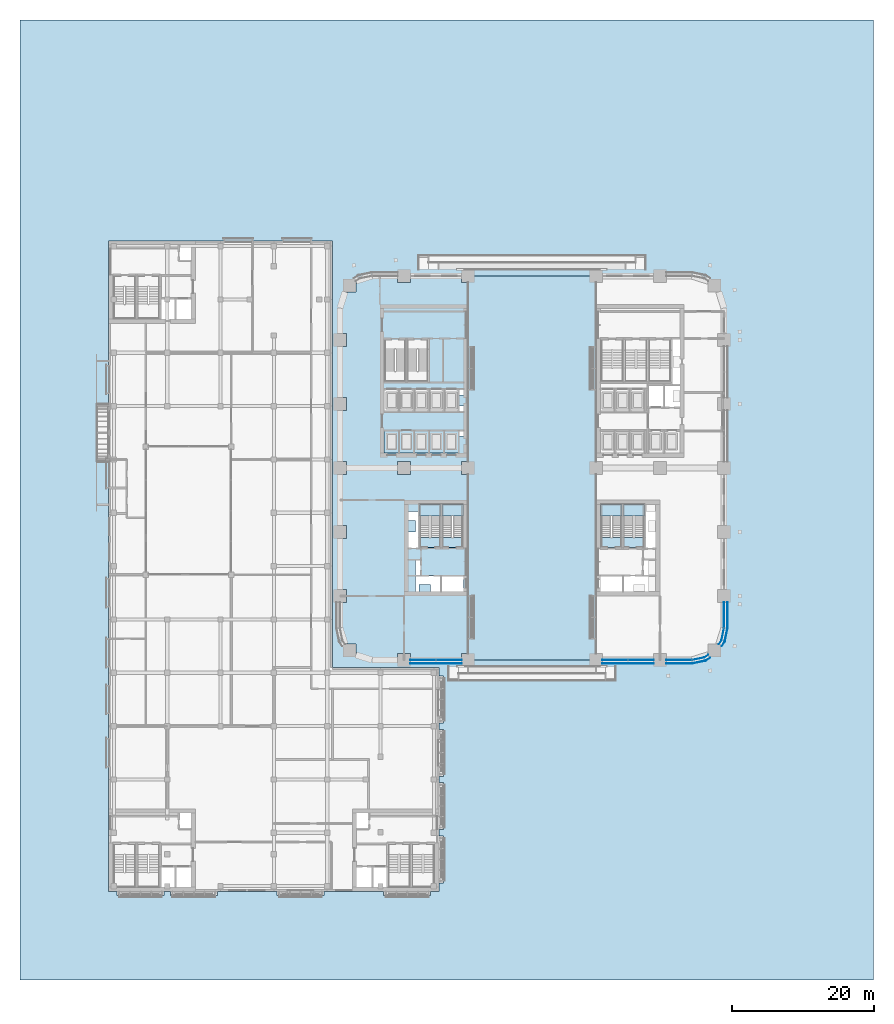
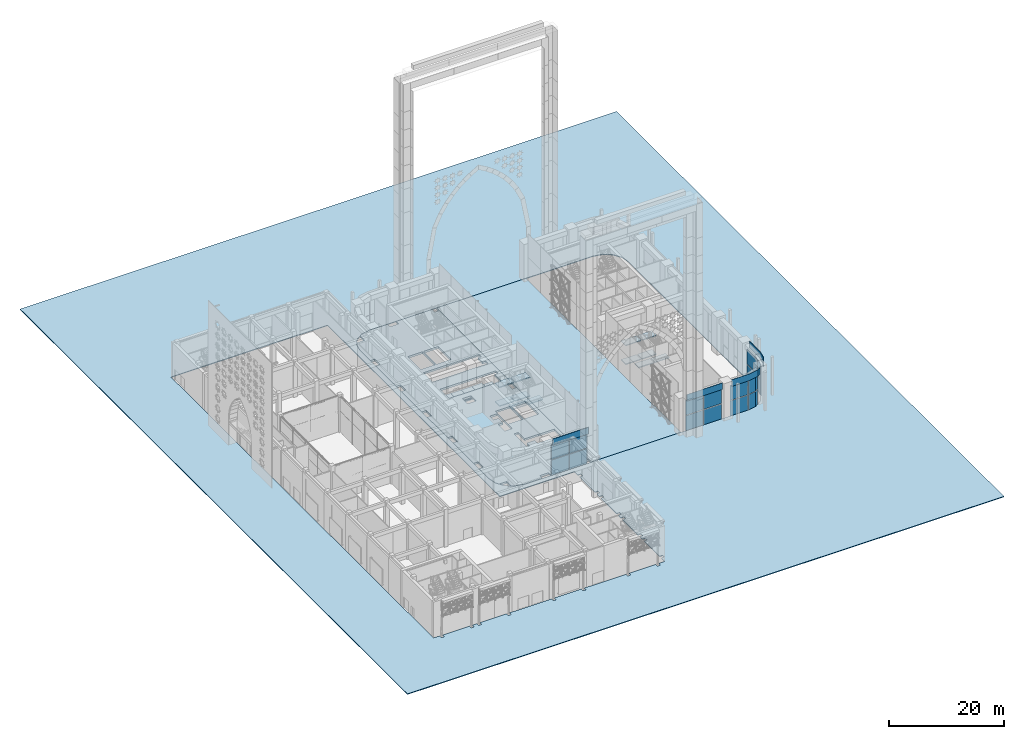
# One storey, part 23 of 64: 20 plates, 20 slabs, 8 elements without a shape of their own.
"""IFC4 building model written with IfcOpenShell, lengths in metres."""

from ifc_helpers import new_model, si_unit, direction, frame, origin, origin_2d, place, context, subcontext, project, spatial, polyline, rectangle, outline, extrude, material, layer, layer_set, type_object, element, aggregate, save


model = new_model("IFC4")

# Units and contexts
model_context = context("Model", 3, precision=1e-05, world=origin(), true_north=direction((0.0, 1.0)))
body_context = subcontext(model_context, "Body", "Model", "MODEL_VIEW")
ifc_project = project(units=[si_unit("LENGTHUNIT", "METRE"), si_unit("AREAUNIT", "SQUARE_METRE"), si_unit("VOLUMEUNIT", "CUBIC_METRE"), si_unit("PLANEANGLEUNIT", "RADIAN"), si_unit("MASSUNIT", "GRAM", prefix="KILO")], contexts=[model_context])

# Site, building, storey
site_placement = place(None, origin())
site = spatial("IfcSite", under=ifc_project, at=site_placement, CompositionType="ELEMENT")
building_placement = place(site_placement, origin())
building = spatial("IfcBuilding", under=site, at=building_placement, Name="Tessera Arch", CompositionType="ELEMENT")
storey_placement = place(building_placement, origin())
storey = spatial("IfcBuildingStorey", under=building, at=storey_placement, Name="L00", CompositionType="ELEMENT", Elevation=0.0)

# Curtain wall, plates
ifc_material_1 = material(Name="CW2 curtain wall")
curtain_wall_type_1 = type_object("IfcCurtainWallType", Name="CW2 curtain wall", PredefinedType="NOTDEFINED", material=ifc_material_1)
curtain_wall_1_placement = place(storey_placement, origin())
curtain_wall_1 = element("IfcCurtainWall", 1, at=curtain_wall_1_placement, inside=storey, type_object=curtain_wall_type_1, Name="CW2 curtain wall S0.36/1 L00", PredefinedType="NOTDEFINED")
ifc_material_2 = material(Name="Clear low-e glass", Category="glass")
ifc_layer_1 = layer(ifc_material_2, 0.028076171875)
ifc_layer_set_1 = layer_set([ifc_layer_1], Name="CW2 glass panel")
plate_type_1 = type_object("IfcPlateType", Name="CW2 glass panel", PredefinedType="CURTAIN_PANEL", material=ifc_layer_set_1)
plate_1_placement = place(storey_placement, frame((47.679931640625, 0.0, 0.0), z_axis=(0.0, 0.0, 1.0), x_axis=(1.0, 0.0, 0.0)))
plate_1 = element("IfcPlate", 2, at=plate_1_placement, type_object=plate_type_1, Name="CW2 glass panel S0.36/1 1.1", PredefinedType="CURTAIN_PANEL", context=body_context, shape_type="SweptSolid", body=[
    extrude(rectangle(XDim=3.56005859375, YDim=0.028076171875, at=origin_2d()), origin(), (0.0, 0.0, 1.0), 3.195068359375),
])
plate_2_placement = place(storey_placement, origin())
plate_2 = element("IfcPlate", 3, at=plate_2_placement, type_object=plate_type_1, Name="CW2 curved glass panel S0.36/1 2.1", PredefinedType="CURTAIN_PANEL", context=body_context, shape_type="SweptSolid", body=[
    extrude(outline(polyline([(51.216552734375, 0.355712890625), (49.53662109375, 0.021484375), (49.5419921875, -0.005859375), (51.2275390625, 0.329345703125), (51.789794921875, 0.705078125), (51.774169921875, 0.728271484375), (51.216552734375, 0.355712890625)])), origin(), (0.0, 0.0, 1.0), 3.195068359375),
])
plate_3_placement = place(storey_placement, frame((47.679931640625, 0.0, 3.294921875), z_axis=(0.0, 0.0, 1.0), x_axis=(1.0, 0.0, 0.0)))
plate_3 = element("IfcPlate", 4, at=plate_3_placement, type_object=plate_type_1, Name="CW2 glass panel S0.36/1 1.2", PredefinedType="CURTAIN_PANEL", context=body_context, shape_type="SweptSolid", body=[
    extrude(rectangle(XDim=3.56005859375, YDim=0.028076171875, at=origin_2d()), origin(), (0.0, 0.0, 1.0), 3.195068359375),
])
plate_4_placement = place(storey_placement, frame((0.0, 0.0, 3.294921875)))
plate_4 = element("IfcPlate", 5, at=plate_4_placement, type_object=plate_type_1, Name="CW2 curved glass panel S0.36/1 2.2", PredefinedType="CURTAIN_PANEL", context=body_context, shape_type="SweptSolid", body=[
    extrude(outline(polyline([(51.216552734375, 0.355712890625), (49.53662109375, 0.021484375), (49.5419921875, -0.005859375), (51.2275390625, 0.329345703125), (51.789794921875, 0.705078125), (51.774169921875, 0.728271484375), (51.216552734375, 0.355712890625)])), origin(), (0.0, 0.0, 1.0), 3.195068359375),
])

curtain_wall_2_placement = place(storey_placement, origin())
curtain_wall_2 = element("IfcCurtainWall", 6, at=curtain_wall_2_placement, inside=storey, type_object=curtain_wall_type_1, Name="CW2 curtain wall E54.0/5 L00", PredefinedType="NOTDEFINED")
plate_5_placement = place(storey_placement, frame((54.0, 6.320068359375, 0.0), z_axis=(0.0, 0.0, 1.0), x_axis=(0.0, 1.0, 0.0)))
plate_5 = element("IfcPlate", 7, at=plate_5_placement, type_object=plate_type_1, Name="CW2 glass panel E54.0/5 1.1", PredefinedType="CURTAIN_PANEL", context=body_context, shape_type="SweptSolid", body=[
    extrude(rectangle(XDim=3.56005859375, YDim=0.028076171875, at=origin_2d()), origin(), (0.0, 0.0, 1.0), 3.195068359375),
])
plate_6_placement = place(storey_placement, origin())
plate_6 = element("IfcPlate", 8, at=plate_6_placement, type_object=plate_type_1, Name="CW2 curved glass panel E54.0/5 2.1", PredefinedType="CURTAIN_PANEL", context=body_context, shape_type="SweptSolid", body=[
    extrude(outline(polyline([(53.644287109375, 2.783447265625), (53.271728515625, 2.225830078125), (53.294921875, 2.210205078125), (53.670654296875, 2.7724609375), (54.005859375, 4.4580078125), (53.978515625, 4.46337890625), (53.644287109375, 2.783447265625)])), origin(), (0.0, 0.0, 1.0), 3.195068359375),
])
plate_7_placement = place(storey_placement, frame((54.0, 6.320068359375, 3.294921875), z_axis=(0.0, 0.0, 1.0), x_axis=(0.0, 1.0, 0.0)))
plate_7 = element("IfcPlate", 9, at=plate_7_placement, type_object=plate_type_1, Name="CW2 glass panel E54.0/5 1.2", PredefinedType="CURTAIN_PANEL", context=body_context, shape_type="SweptSolid", body=[
    extrude(rectangle(XDim=3.56005859375, YDim=0.028076171875, at=origin_2d()), origin(), (0.0, 0.0, 1.0), 3.195068359375),
])
plate_8_placement = place(storey_placement, frame((0.0, 0.0, 3.294921875)))
plate_8 = element("IfcPlate", 10, at=plate_8_placement, type_object=plate_type_1, Name="CW2 curved glass panel E54.0/5 2.2", PredefinedType="CURTAIN_PANEL", context=body_context, shape_type="SweptSolid", body=[
    extrude(outline(polyline([(53.644287109375, 2.783447265625), (53.271728515625, 2.225830078125), (53.294921875, 2.210205078125), (53.670654296875, 2.7724609375), (54.005859375, 4.4580078125), (53.978515625, 4.46337890625), (53.644287109375, 2.783447265625)])), origin(), (0.0, 0.0, 1.0), 3.195068359375),
])

# Plate
ifc_material_3 = material(Name="Pale anodised aluminium panel", Category="aluminium")
ifc_layer_2 = layer(ifc_material_3, 0.06005859375)
ifc_layer_set_2 = layer_set([ifc_layer_2], Name="CW2 spandrel panel")
plate_type_2 = type_object("IfcPlateType", Name="CW2 spandrel panel", PredefinedType="CURTAIN_PANEL", material=ifc_layer_set_2)
plate_9_placement = place(storey_placement, frame((0.0, 0.0, 6.590087890625)))
plate_9 = element("IfcPlate", 11, at=plate_9_placement, type_object=plate_type_2, Name="CW2 spandrel panel S0.36/1", PredefinedType="CURTAIN_PANEL", context=body_context, shape_type="SweptSolid", body=[
    extrude(outline(polyline([(49.499267578125, -0.449951171875), (45.89990234375, -0.449951171875), (45.89990234375, -0.510009765625), (49.500732421875, -0.510009765625), (49.550048828125, -0.507568359375), (49.598876953125, -0.500244140625), (51.322265625, -0.157470703125), (51.3701171875, -0.1455078125), (51.417236328125, -0.128662109375), (51.462646484375, -0.107177734375), (51.5048828125, -0.08203125), (52.0654296875, 0.292724609375), (52.031982421875, 0.342529296875), (51.47265625, -0.03125), (51.434326171875, -0.05419921875), (51.394287109375, -0.0732421875), (51.352783203125, -0.088134765625), (51.30908203125, -0.09912109375), (49.588623046875, -0.441162109375), (49.544189453125, -0.44775390625), (49.499267578125, -0.449951171875)])), origin(), (0.0, 0.0, 1.0), 1.409912109375),
])

aggregate(curtain_wall_1, [plate_1, plate_2, plate_3, plate_4, plate_9])

plate_10_placement = place(storey_placement, frame((0.0, 0.0, 6.590087890625)))
plate_10 = element("IfcPlate", 12, at=plate_10_placement, type_object=plate_type_2, Name="CW2 spandrel panel E54.0/5", PredefinedType="CURTAIN_PANEL", context=body_context, shape_type="SweptSolid", body=[
    extrude(outline(polyline([(54.03125, 2.52734375), (53.657470703125, 1.968017578125), (53.707275390625, 1.9345703125), (54.08203125, 2.4951171875), (54.107177734375, 2.537353515625), (54.128662109375, 2.582763671875), (54.1455078125, 2.6298828125), (54.157470703125, 2.677734375), (54.500244140625, 4.401123046875), (54.507568359375, 4.449951171875), (54.510009765625, 4.499267578125), (54.510009765625, 8.10009765625), (54.449951171875, 8.10009765625), (54.449951171875, 4.500732421875), (54.44775390625, 4.455810546875), (54.441162109375, 4.411376953125), (54.09912109375, 2.69091796875), (54.088134765625, 2.647216796875), (54.0732421875, 2.605712890625), (54.05419921875, 2.565673828125), (54.03125, 2.52734375)])), origin(), (0.0, 0.0, 1.0), 1.409912109375),
])

aggregate(curtain_wall_2, [plate_5, plate_6, plate_7, plate_8, plate_10])

# Curtain wall, plates
ifc_material_4 = material(Name="CW6 curtain wall")
curtain_wall_type_2 = type_object("IfcCurtainWallType", Name="CW6 curtain wall", PredefinedType="NOTDEFINED", material=ifc_material_4)
curtain_wall_3_placement = place(storey_placement, origin())
curtain_wall_3 = element("IfcCurtainWall", 13, at=curtain_wall_3_placement, inside=storey, type_object=curtain_wall_type_2, Name="CW6 curtain wall S0.0/1 L00", PredefinedType="NOTDEFINED")
ifc_material_5 = material(Name="Clear low-e glass", Category="glass")
ifc_layer_3 = layer(ifc_material_5, 0.028076171875)
ifc_layer_set_3 = layer_set([ifc_layer_3], Name="CW6 glass panel")
plate_type_3 = type_object("IfcPlateType", Name="CW6 glass panel", PredefinedType="CURTAIN_PANEL", material=ifc_layer_set_3)
plate_11_placement = place(storey_placement, frame((11.6826171875, 0.0, 0.0), z_axis=(0.0, 0.0, 1.0), x_axis=(1.0, 0.0, 0.0)))
plate_11 = element("IfcPlate", 14, at=plate_11_placement, type_object=plate_type_3, Name="CW6 glass panel S0.0/1 1.1.1", PredefinedType="CURTAIN_PANEL", context=body_context, shape_type="SweptSolid", body=[
    extrude(rectangle(XDim=3.56494140625, YDim=0.028076171875, at=origin_2d()), origin(), (0.0, 0.0, 1.0), 3.175048828125),
])
plate_12_placement = place(storey_placement, frame((11.6826171875, 0.0, 3.294921875), z_axis=(0.0, 0.0, 1.0), x_axis=(1.0, 0.0, 0.0)))
plate_12 = element("IfcPlate", 15, at=plate_12_placement, type_object=plate_type_3, Name="CW6 glass panel S0.0/1 1.1.2", PredefinedType="CURTAIN_PANEL", context=body_context, shape_type="SweptSolid", body=[
    extrude(rectangle(XDim=3.56494140625, YDim=0.028076171875, at=origin_2d()), origin(), (0.0, 0.0, 1.0), 3.175048828125),
])
plate_13_placement = place(storey_placement, frame((15.3173828125, 0.0, 0.0), z_axis=(0.0, 0.0, 1.0), x_axis=(1.0, 0.0, 0.0)))
plate_13 = element("IfcPlate", 16, at=plate_13_placement, type_object=plate_type_3, Name="CW6 glass panel S0.0/1 1.2.1", PredefinedType="CURTAIN_PANEL", context=body_context, shape_type="SweptSolid", body=[
    extrude(rectangle(XDim=3.56494140625, YDim=0.028076171875, at=origin_2d()), origin(), (0.0, 0.0, 1.0), 3.175048828125),
])
plate_14_placement = place(storey_placement, frame((15.3173828125, 0.0, 3.294921875), z_axis=(0.0, 0.0, 1.0), x_axis=(1.0, 0.0, 0.0)))
plate_14 = element("IfcPlate", 17, at=plate_14_placement, type_object=plate_type_3, Name="CW6 glass panel S0.0/1 1.2.2", PredefinedType="CURTAIN_PANEL", context=body_context, shape_type="SweptSolid", body=[
    extrude(rectangle(XDim=3.56494140625, YDim=0.028076171875, at=origin_2d()), origin(), (0.0, 0.0, 1.0), 3.175048828125),
])

curtain_wall_4_placement = place(storey_placement, origin())
curtain_wall_4 = element("IfcCurtainWall", 18, at=curtain_wall_4_placement, inside=storey, type_object=curtain_wall_type_2, Name="CW6 curtain wall S0.36/0 L00", PredefinedType="NOTDEFINED")
plate_15_placement = place(storey_placement, frame((38.6826171875, 0.0, 0.0), z_axis=(0.0, 0.0, 1.0), x_axis=(1.0, 0.0, 0.0)))
plate_15 = element("IfcPlate", 19, at=plate_15_placement, type_object=plate_type_3, Name="CW6 glass panel S0.36/0 1.1.1", PredefinedType="CURTAIN_PANEL", context=body_context, shape_type="SweptSolid", body=[
    extrude(rectangle(XDim=3.56494140625, YDim=0.028076171875, at=origin_2d()), origin(), (0.0, 0.0, 1.0), 3.175048828125),
])
plate_16_placement = place(storey_placement, frame((38.6826171875, 0.0, 3.294921875), z_axis=(0.0, 0.0, 1.0), x_axis=(1.0, 0.0, 0.0)))
plate_16 = element("IfcPlate", 20, at=plate_16_placement, type_object=plate_type_3, Name="CW6 glass panel S0.36/0 1.1.2", PredefinedType="CURTAIN_PANEL", context=body_context, shape_type="SweptSolid", body=[
    extrude(rectangle(XDim=3.56494140625, YDim=0.028076171875, at=origin_2d()), origin(), (0.0, 0.0, 1.0), 3.175048828125),
])
plate_17_placement = place(storey_placement, frame((42.3173828125, 0.0, 0.0), z_axis=(0.0, 0.0, 1.0), x_axis=(1.0, 0.0, 0.0)))
plate_17 = element("IfcPlate", 21, at=plate_17_placement, type_object=plate_type_3, Name="CW6 glass panel S0.36/0 1.2.1", PredefinedType="CURTAIN_PANEL", context=body_context, shape_type="SweptSolid", body=[
    extrude(rectangle(XDim=3.56494140625, YDim=0.028076171875, at=origin_2d()), origin(), (0.0, 0.0, 1.0), 3.175048828125),
])
plate_18_placement = place(storey_placement, frame((42.3173828125, 0.0, 3.294921875), z_axis=(0.0, 0.0, 1.0), x_axis=(1.0, 0.0, 0.0)))
plate_18 = element("IfcPlate", 22, at=plate_18_placement, type_object=plate_type_3, Name="CW6 glass panel S0.36/0 1.2.2", PredefinedType="CURTAIN_PANEL", context=body_context, shape_type="SweptSolid", body=[
    extrude(rectangle(XDim=3.56494140625, YDim=0.028076171875, at=origin_2d()), origin(), (0.0, 0.0, 1.0), 3.175048828125),
])

# Plate
ifc_material_6 = material(Name="Pale anodised aluminium panel", Category="aluminium")
ifc_layer_4 = layer(ifc_material_6, 0.06005859375)
ifc_layer_set_4 = layer_set([ifc_layer_4], Name="CW6 spandrel panel")
plate_type_4 = type_object("IfcPlateType", Name="CW6 spandrel panel", PredefinedType="CURTAIN_PANEL", material=ifc_layer_set_4)
plate_19_placement = place(storey_placement, frame((13.5, -0.47998046875, 6.58984375), z_axis=(0.0, 0.0, 1.0), x_axis=(1.0, 0.0, 0.0)))
plate_19 = element("IfcPlate", 23, at=plate_19_placement, type_object=plate_type_4, Name="CW6 spandrel panel S0.0/1", PredefinedType="CURTAIN_PANEL", context=body_context, shape_type="SweptSolid", body=[
    extrude(rectangle(XDim=7.199951171875, YDim=0.06005859375, at=origin_2d()), origin(), (0.0, 0.0, 1.0), 1.409912109375),
])

aggregate(curtain_wall_3, [plate_11, plate_12, plate_13, plate_14, plate_19])

plate_20_placement = place(storey_placement, frame((40.5, -0.47998046875, 6.58984375), z_axis=(0.0, 0.0, 1.0), x_axis=(1.0, 0.0, 0.0)))
plate_20 = element("IfcPlate", 24, at=plate_20_placement, type_object=plate_type_4, Name="CW6 spandrel panel S0.36/0", PredefinedType="CURTAIN_PANEL", context=body_context, shape_type="SweptSolid", body=[
    extrude(rectangle(XDim=7.199951171875, YDim=0.06005859375, at=origin_2d()), origin(), (0.0, 0.0, 1.0), 1.409912109375),
])

aggregate(curtain_wall_4, [plate_15, plate_16, plate_17, plate_18, plate_20])

# Slabs
ifc_material_7 = material(Name="Concrete C40/50", Category="concrete")
ifc_layer_5 = layer(ifc_material_7, 0.409912109375)
ifc_layer_set_5 = layer_set([ifc_layer_5], Name="Floor slab 410 Concrete C40/50")
slab_type_1 = type_object("IfcSlabType", Name="Floor slab 410 Concrete C40/50", PredefinedType="FLOOR", material=ifc_layer_set_5)
slab_1_placement = place(storey_placement, frame((0.0, 0.0, -0.409912109375)))
element("IfcSlab", 25, at=slab_1_placement, inside=storey, type_object=slab_type_1, Name="Floor slab L00 1", PredefinedType="FLOOR", context=body_context, shape_type="SweptSolid", body=[
    extrude(outline(polyline([(2.77783203125, 0.342529296875), (2.218017578125, 0.716552734375), (2.218017578125, 2.218017578125), (0.716552734375, 2.218017578125), (0.342529296875, 2.77783203125), (0.0, 4.5), (0.0, 8.10009765625), (0.89990234375, 8.10009765625), (0.89990234375, 9.89990234375), (0.0, 9.89990234375), (0.0, 17.10009765625), (0.89990234375, 17.10009765625), (0.89990234375, 18.89990234375), (0.0, 18.89990234375), (0.0, 26.10009765625), (0.89990234375, 26.10009765625), (0.89990234375, 27.89990234375), (0.0, 27.89990234375), (0.0, 35.10009765625), (0.89990234375, 35.10009765625), (0.89990234375, 36.89990234375), (0.0, 36.89990234375), (0.0, 44.10009765625), (0.89990234375, 44.10009765625), (0.89990234375, 45.89990234375), (0.0, 45.89990234375), (0.0, 49.5), (0.342529296875, 51.22216796875), (0.716552734375, 51.781982421875), (2.218017578125, 51.781982421875), (2.218017578125, 53.283447265625), (2.77783203125, 53.657470703125), (4.5, 54.0), (8.10009765625, 54.0), (8.10009765625, 53.10009765625), (9.89990234375, 53.10009765625), (9.89990234375, 54.0), (17.10009765625, 54.0), (17.10009765625, 53.10009765625), (18.0, 53.10009765625), (18.0, 27.89990234375), (17.10009765625, 27.89990234375), (17.10009765625, 26.10009765625), (18.0, 26.10009765625), (18.0, 0.89990234375), (17.10009765625, 0.89990234375), (17.10009765625, 0.0), (9.89990234375, 0.0), (9.89990234375, 0.89990234375), (8.10009765625, 0.89990234375), (8.10009765625, 0.0), (4.5, 0.0), (2.77783203125, 0.342529296875)]), holes=[polyline([(8.10009765625, 27.89990234375), (8.10009765625, 26.10009765625), (9.89990234375, 26.10009765625), (9.89990234375, 27.89990234375), (8.10009765625, 27.89990234375)]), polyline([(6.199951171875, 32.300048828125), (6.199951171875, 29.10009765625), (8.300048828125, 29.10009765625), (10.39990234375, 29.10009765625), (12.5, 29.10009765625), (14.60009765625, 29.10009765625), (16.699951171875, 29.10009765625), (16.699951171875, 31.5), (17.39990234375, 31.5), (17.39990234375, 32.300048828125), (16.699951171875, 32.300048828125), (14.60009765625, 32.300048828125), (12.5, 32.300048828125), (10.39990234375, 32.300048828125), (8.300048828125, 32.300048828125), (6.199951171875, 32.300048828125)]), polyline([(10.39990234375, 34.89990234375), (12.5, 34.89990234375), (14.60009765625, 34.89990234375), (16.699951171875, 34.89990234375), (17.39990234375, 34.89990234375), (17.39990234375, 35.699951171875), (16.699951171875, 35.699951171875), (16.699951171875, 37.300048828125), (17.39990234375, 37.300048828125), (17.39990234375, 38.10009765625), (16.699951171875, 38.10009765625), (14.60009765625, 38.10009765625), (12.5, 38.10009765625), (10.39990234375, 38.10009765625), (8.300048828125, 38.10009765625), (6.199951171875, 38.10009765625), (6.199951171875, 34.89990234375), (8.300048828125, 34.89990234375), (10.39990234375, 34.89990234375)]), polyline([(7.85009765625, 43.68994140625), (7.85009765625, 43.699951171875), (7.699951171875, 43.699951171875), (7.699951171875, 43.68994140625), (6.300048828125, 43.68994140625), (6.300048828125, 39.199951171875), (9.25, 39.199951171875), (9.25, 43.68994140625), (7.85009765625, 43.68994140625)]), polyline([(12.699951171875, 10.60009765625), (12.699951171875, 9.60009765625), (14.199951171875, 9.60009765625), (17.39990234375, 9.60009765625), (17.39990234375, 11.85009765625), (14.199951171875, 11.85009765625), (14.199951171875, 11.89990234375), (11.39990234375, 11.89990234375), (11.39990234375, 14.10009765625), (10.60009765625, 14.10009765625), (10.60009765625, 11.89990234375), (10.60009765625, 9.60009765625), (11.10009765625, 9.60009765625), (11.10009765625, 10.60009765625), (12.699951171875, 10.60009765625)]), polyline([(9.60009765625, 19.60009765625), (10.60009765625, 19.60009765625), (10.60009765625, 18.0), (9.60009765625, 18.0), (9.60009765625, 15.699951171875), (11.10009765625, 15.699951171875), (11.10009765625, 20.89990234375), (9.60009765625, 20.89990234375), (9.60009765625, 19.60009765625)]), polyline([(12.60009765625, 17.2099609375), (12.60009765625, 17.199951171875), (12.75, 17.199951171875), (12.75, 17.2099609375), (14.14990234375, 17.2099609375), (14.14990234375, 21.699951171875), (11.199951171875, 21.699951171875), (11.199951171875, 17.2099609375), (12.60009765625, 17.2099609375)]), polyline([(15.75, 17.199951171875), (15.89990234375, 17.199951171875), (15.89990234375, 17.2099609375), (17.300048828125, 17.2099609375), (17.300048828125, 21.699951171875), (14.35009765625, 21.699951171875), (14.35009765625, 17.2099609375), (15.75, 17.2099609375), (15.75, 17.199951171875)]), polyline([(11.0, 43.699951171875), (10.85009765625, 43.699951171875), (10.85009765625, 43.68994140625), (9.449951171875, 43.68994140625), (9.449951171875, 39.199951171875), (12.39990234375, 39.199951171875), (12.39990234375, 43.68994140625), (11.0, 43.68994140625), (11.0, 43.699951171875)])]), origin(), (0.0, 0.0, 1.0), 0.409912109375),
])
ifc_material_8 = material(Name="Granite paving", Category="masonry")
ifc_layer_6 = layer(ifc_material_8, 0.14990234375)
ifc_layer_set_6 = layer_set([ifc_layer_6], Name="Paving 150 Granite")
slab_type_2 = type_object("IfcSlabType", Name="Paving 150 Granite", PredefinedType="USERDEFINED", material=ifc_layer_set_6)
slab_2_placement = place(storey_placement, frame((0.0, 0.0, -0.14990234375)))
element("IfcSlab", 26, at=slab_2_placement, inside=storey, type_object=slab_type_2, Name="Site paving", ObjectType="PAVING", PredefinedType="USERDEFINED", context=body_context, shape_type="SweptSolid", body=[
    extrude(outline(polyline([(-45.0, -45.0), (-45.0, 90.0), (75.0, 90.0), (75.0, -45.0), (-45.0, -45.0)]), holes=[polyline([(-31.35009765625, -33.14990234375), (-30.75, -33.14990234375), (-30.75, -32.550048828125), (-25.35009765625, -32.550048828125), (-25.35009765625, -33.14990234375), (-24.75, -33.14990234375), (-24.75, -32.550048828125), (-23.85009765625, -32.550048828125), (-23.85009765625, -33.14990234375), (-23.25, -33.14990234375), (-23.25, -32.550048828125), (-17.85009765625, -32.550048828125), (-17.85009765625, -33.14990234375), (-17.25, -33.14990234375), (-17.25, -32.550048828125), (-8.85009765625, -32.550048828125), (-8.85009765625, -33.14990234375), (-8.25, -33.14990234375), (-8.25, -32.550048828125), (-2.85009765625, -32.550048828125), (-2.85009765625, -33.14990234375), (-2.25, -33.14990234375), (-2.25, -32.550048828125), (6.14990234375, -32.550048828125), (6.14990234375, -33.14990234375), (6.75, -33.14990234375), (6.75, -32.550048828125), (12.14990234375, -32.550048828125), (12.14990234375, -33.14990234375), (12.75, -33.14990234375), (12.75, -32.550048828125), (13.949951171875, -32.550048828125), (13.949951171875, -31.35009765625), (14.550048828125, -31.35009765625), (14.550048828125, -30.75), (13.949951171875, -30.75), (13.949951171875, -25.35009765625), (14.550048828125, -25.35009765625), (14.550048828125, -24.75), (13.949951171875, -24.75), (13.949951171875, -23.85009765625), (14.550048828125, -23.85009765625), (14.550048828125, -23.25), (13.949951171875, -23.25), (13.949951171875, -17.85009765625), (14.550048828125, -17.85009765625), (14.550048828125, -17.25), (13.949951171875, -17.25), (13.949951171875, -16.35009765625), (14.550048828125, -16.35009765625), (14.550048828125, -15.75), (13.949951171875, -15.75), (13.949951171875, -10.35009765625), (14.550048828125, -10.35009765625), (14.550048828125, -9.75), (13.949951171875, -9.75), (13.949951171875, -8.85009765625), (14.550048828125, -8.85009765625), (14.550048828125, -8.25), (13.949951171875, -8.25), (13.949951171875, -2.85009765625), (14.550048828125, -2.85009765625), (14.550048828125, -2.25), (13.949951171875, -2.25), (13.949951171875, -1.050048828125), (-1.050048828125, -1.050048828125), (-1.050048828125, 58.949951171875), (-32.550048828125, 58.949951171875), (-32.550048828125, -32.550048828125), (-31.35009765625, -32.550048828125), (-31.35009765625, -33.14990234375)]), polyline([(4.5, 0.0), (49.5, 0.0), (51.22216796875, 0.342529296875), (52.681884765625, 1.318115234375), (53.657470703125, 2.77783203125), (54.0, 4.5), (54.0, 49.5), (53.657470703125, 51.22216796875), (52.681884765625, 52.681884765625), (51.22216796875, 53.657470703125), (49.5, 54.0), (4.5, 54.0), (2.77783203125, 53.657470703125), (1.318115234375, 52.681884765625), (0.342529296875, 51.22216796875), (0.0, 49.5), (0.0, 4.5), (0.342529296875, 2.77783203125), (1.318115234375, 1.318115234375), (2.77783203125, 0.342529296875), (4.5, 0.0)])]), origin(), (0.0, 0.0, 1.0), 0.14990234375),
])
ifc_material_9 = material(Name="Concrete C40/50", Category="concrete")
ifc_layer_7 = layer(ifc_material_9, 0.300048828125)
ifc_layer_set_7 = layer_set([ifc_layer_7], Name="Pit floor 300")
slab_type_3 = type_object("IfcSlabType", Name="Pit floor 300", PredefinedType="BASESLAB", material=ifc_layer_set_7)
slab_3_placement = place(storey_placement, frame((0.0, 0.0, -2.300048828125)))
element("IfcSlab", 27, at=slab_3_placement, inside=storey, type_object=slab_type_3, Name="HR7 lift pit floor", PredefinedType="BASESLAB", context=body_context, shape_type="SweptSolid", body=[
    extrude(outline(polyline([(14.60009765625, 29.10009765625), (16.699951171875, 29.10009765625), (16.699951171875, 32.300048828125), (14.60009765625, 32.300048828125), (14.60009765625, 29.10009765625)])), origin(), (0.0, 0.0, 1.0), 0.300048828125),
])
slab_4_placement = place(storey_placement, frame((0.0, 0.0, -1.89990234375)))
element("IfcSlab", 28, at=slab_4_placement, inside=storey, type_object=slab_type_3, Name="LR1 lift pit floor", PredefinedType="BASESLAB", context=body_context, shape_type="SweptSolid", body=[
    extrude(outline(polyline([(6.199951171875, 29.10009765625), (8.300048828125, 29.10009765625), (8.300048828125, 32.300048828125), (6.199951171875, 32.300048828125), (6.199951171875, 29.10009765625)])), origin(), (0.0, 0.0, 1.0), 0.2998046875),
])
slab_5_placement = place(storey_placement, frame((0.0, 0.0, -1.89990234375)))
element("IfcSlab", 29, at=slab_5_placement, inside=storey, type_object=slab_type_3, Name="LR2 lift pit floor", PredefinedType="BASESLAB", context=body_context, shape_type="SweptSolid", body=[
    extrude(outline(polyline([(8.300048828125, 29.10009765625), (10.39990234375, 29.10009765625), (10.39990234375, 32.300048828125), (8.300048828125, 32.300048828125), (8.300048828125, 29.10009765625)])), origin(), (0.0, 0.0, 1.0), 0.2998046875),
])
slab_6_placement = place(storey_placement, frame((0.0, 0.0, -1.89990234375)))
element("IfcSlab", 30, at=slab_6_placement, inside=storey, type_object=slab_type_3, Name="LR3 lift pit floor", PredefinedType="BASESLAB", context=body_context, shape_type="SweptSolid", body=[
    extrude(outline(polyline([(10.39990234375, 29.10009765625), (12.5, 29.10009765625), (12.5, 32.300048828125), (10.39990234375, 32.300048828125), (10.39990234375, 29.10009765625)])), origin(), (0.0, 0.0, 1.0), 0.2998046875),
])
slab_7_placement = place(storey_placement, frame((0.0, 0.0, -1.89990234375)))
element("IfcSlab", 31, at=slab_7_placement, inside=storey, type_object=slab_type_3, Name="LR4 lift pit floor", PredefinedType="BASESLAB", context=body_context, shape_type="SweptSolid", body=[
    extrude(outline(polyline([(12.5, 29.10009765625), (14.60009765625, 29.10009765625), (14.60009765625, 32.300048828125), (12.5, 32.300048828125), (12.5, 29.10009765625)])), origin(), (0.0, 0.0, 1.0), 0.2998046875),
])

# Stair, slabs
ifc_material_10 = material(Name="Concrete C40/50", Category="concrete")
stair_type = type_object("IfcStairType", Name="Dogleg stair 1400", PredefinedType="HALF_TURN_STAIR", material=ifc_material_10)
stair_1_placement = place(storey_placement, origin())
stair_1 = element("IfcStair", 32, at=stair_1_placement, inside=storey, type_object=stair_type, Name="L00 S3a", PredefinedType="HALF_TURN_STAIR")
ifc_material_11 = material(Name="Concrete C40/50", Category="concrete")
ifc_layer_8 = layer(ifc_material_11, 0.300048828125)
ifc_layer_set_8 = layer_set([ifc_layer_8], Name="Stair landing 300")
slab_type_4 = type_object("IfcSlabType", Name="Stair landing 300", PredefinedType="LANDING", material=ifc_layer_set_8)
slab_8_placement = place(storey_placement, frame((0.0, 0.0, 1.800048828125)))
slab_8 = element("IfcSlab", 33, at=slab_8_placement, type_object=slab_type_4, Name="S3a landing 1", PredefinedType="LANDING", context=body_context, shape_type="SweptSolid", body=[
    extrude(outline(polyline([(39.64990234375, 20.280029296875), (39.64990234375, 21.89990234375), (36.60009765625, 21.89990234375), (36.60009765625, 20.280029296875), (39.64990234375, 20.280029296875)])), origin(), (0.0, 0.0, 1.0), 0.199951171875),
])
slab_9_placement = place(storey_placement, frame((0.0, 0.0, 3.800048828125)))
slab_9 = element("IfcSlab", 34, at=slab_9_placement, type_object=slab_type_4, Name="S3a landing 2", PredefinedType="LANDING", context=body_context, shape_type="SweptSolid", body=[
    extrude(outline(polyline([(39.64990234375, 15.800048828125), (39.64990234375, 17.199951171875), (36.60009765625, 17.199951171875), (36.60009765625, 15.800048828125), (39.64990234375, 15.800048828125)])), origin(), (0.0, 0.0, 1.0), 0.199951171875),
])
slab_10_placement = place(storey_placement, frame((0.0, 0.0, 5.800048828125)))
slab_10 = element("IfcSlab", 35, at=slab_10_placement, type_object=slab_type_4, Name="S3a landing 3", PredefinedType="LANDING", context=body_context, shape_type="SweptSolid", body=[
    extrude(outline(polyline([(39.64990234375, 20.280029296875), (39.64990234375, 21.89990234375), (36.60009765625, 21.89990234375), (36.60009765625, 20.280029296875), (39.64990234375, 20.280029296875)])), origin(), (0.0, 0.0, 1.0), 0.199951171875),
])
aggregate(stair_1, [slab_8, slab_9, slab_10])

stair_2_placement = place(storey_placement, origin())
stair_2 = element("IfcStair", 36, at=stair_2_placement, inside=storey, type_object=stair_type, Name="L00 S3b", PredefinedType="HALF_TURN_STAIR")
slab_11_placement = place(storey_placement, frame((0.0, 0.0, 1.800048828125)))
slab_11 = element("IfcSlab", 37, at=slab_11_placement, type_object=slab_type_4, Name="S3b landing 1", PredefinedType="LANDING", context=body_context, shape_type="SweptSolid", body=[
    extrude(outline(polyline([(42.800048828125, 20.280029296875), (42.800048828125, 21.89990234375), (39.85009765625, 21.89990234375), (39.85009765625, 20.280029296875), (42.800048828125, 20.280029296875)])), origin(), (0.0, 0.0, 1.0), 0.199951171875),
])
slab_12_placement = place(storey_placement, frame((0.0, 0.0, 3.800048828125)))
slab_12 = element("IfcSlab", 38, at=slab_12_placement, type_object=slab_type_4, Name="S3b landing 2", PredefinedType="LANDING", context=body_context, shape_type="SweptSolid", body=[
    extrude(outline(polyline([(42.800048828125, 15.800048828125), (42.800048828125, 17.199951171875), (39.85009765625, 17.199951171875), (39.85009765625, 15.800048828125), (42.800048828125, 15.800048828125)])), origin(), (0.0, 0.0, 1.0), 0.199951171875),
])
slab_13_placement = place(storey_placement, frame((0.0, 0.0, 5.800048828125)))
slab_13 = element("IfcSlab", 39, at=slab_13_placement, type_object=slab_type_4, Name="S3b landing 3", PredefinedType="LANDING", context=body_context, shape_type="SweptSolid", body=[
    extrude(outline(polyline([(42.800048828125, 20.280029296875), (42.800048828125, 21.89990234375), (39.85009765625, 21.89990234375), (39.85009765625, 20.280029296875), (42.800048828125, 20.280029296875)])), origin(), (0.0, 0.0, 1.0), 0.199951171875),
])
aggregate(stair_2, [slab_11, slab_12, slab_13])

stair_3_placement = place(storey_placement, origin())
stair_3 = element("IfcStair", 40, at=stair_3_placement, inside=storey, type_object=stair_type, Name="L00 S4a", PredefinedType="HALF_TURN_STAIR")
slab_14_placement = place(storey_placement, frame((0.0, 0.0, 1.800048828125)))
slab_14 = element("IfcSlab", 41, at=slab_14_placement, type_object=slab_type_4, Name="S4a landing 1", PredefinedType="LANDING", context=body_context, shape_type="SweptSolid", body=[
    extrude(outline(polyline([(17.39990234375, 20.280029296875), (17.39990234375, 21.89990234375), (14.35009765625, 21.89990234375), (14.35009765625, 20.280029296875), (17.39990234375, 20.280029296875)])), origin(), (0.0, 0.0, 1.0), 0.199951171875),
])
slab_15_placement = place(storey_placement, frame((0.0, 0.0, 3.800048828125)))
slab_15 = element("IfcSlab", 42, at=slab_15_placement, type_object=slab_type_4, Name="S4a landing 2", PredefinedType="LANDING", context=body_context, shape_type="SweptSolid", body=[
    extrude(outline(polyline([(17.39990234375, 15.800048828125), (17.39990234375, 17.199951171875), (14.35009765625, 17.199951171875), (14.35009765625, 15.800048828125), (17.39990234375, 15.800048828125)])), origin(), (0.0, 0.0, 1.0), 0.199951171875),
])
slab_16_placement = place(storey_placement, frame((0.0, 0.0, 5.800048828125)))
slab_16 = element("IfcSlab", 43, at=slab_16_placement, type_object=slab_type_4, Name="S4a landing 3", PredefinedType="LANDING", context=body_context, shape_type="SweptSolid", body=[
    extrude(outline(polyline([(17.39990234375, 20.280029296875), (17.39990234375, 21.89990234375), (14.35009765625, 21.89990234375), (14.35009765625, 20.280029296875), (17.39990234375, 20.280029296875)])), origin(), (0.0, 0.0, 1.0), 0.199951171875),
])
aggregate(stair_3, [slab_14, slab_15, slab_16])

stair_4_placement = place(storey_placement, origin())
stair_4 = element("IfcStair", 44, at=stair_4_placement, inside=storey, type_object=stair_type, Name="L00 S4b", PredefinedType="HALF_TURN_STAIR")
slab_17_placement = place(storey_placement, frame((0.0, 0.0, 1.800048828125)))
slab_17 = element("IfcSlab", 45, at=slab_17_placement, type_object=slab_type_4, Name="S4b landing 1", PredefinedType="LANDING", context=body_context, shape_type="SweptSolid", body=[
    extrude(outline(polyline([(14.14990234375, 20.280029296875), (14.14990234375, 21.89990234375), (11.199951171875, 21.89990234375), (11.199951171875, 20.280029296875), (14.14990234375, 20.280029296875)])), origin(), (0.0, 0.0, 1.0), 0.199951171875),
])
slab_18_placement = place(storey_placement, frame((0.0, 0.0, 3.800048828125)))
slab_18 = element("IfcSlab", 46, at=slab_18_placement, type_object=slab_type_4, Name="S4b landing 2", PredefinedType="LANDING", context=body_context, shape_type="SweptSolid", body=[
    extrude(outline(polyline([(14.14990234375, 15.800048828125), (14.14990234375, 17.199951171875), (11.199951171875, 17.199951171875), (11.199951171875, 15.800048828125), (14.14990234375, 15.800048828125)])), origin(), (0.0, 0.0, 1.0), 0.199951171875),
])
slab_19_placement = place(storey_placement, frame((0.0, 0.0, 5.800048828125)))
slab_19 = element("IfcSlab", 47, at=slab_19_placement, type_object=slab_type_4, Name="S4b landing 3", PredefinedType="LANDING", context=body_context, shape_type="SweptSolid", body=[
    extrude(outline(polyline([(14.14990234375, 20.280029296875), (14.14990234375, 21.89990234375), (11.199951171875, 21.89990234375), (11.199951171875, 20.280029296875), (14.14990234375, 20.280029296875)])), origin(), (0.0, 0.0, 1.0), 0.199951171875),
])
aggregate(stair_4, [slab_17, slab_18, slab_19])

# Slab
ifc_material_12 = material(Name="Concrete C40/50", Category="concrete")
ifc_layer_9 = layer(ifc_material_12, 0.409912109375)
ifc_layer_set_9 = layer_set([ifc_layer_9], Name="Street deck 410 Concrete C40/50")
slab_type_5 = type_object("IfcSlabType", Name="Street deck 410 Concrete C40/50", PredefinedType="FLOOR", material=ifc_layer_set_9)
slab_20_placement = place(storey_placement, frame((0.0, 0.0, -0.409912109375)))
element("IfcSlab", 48, at=slab_20_placement, inside=storey, type_object=slab_type_5, Name="Street deck over the arch passage", PredefinedType="FLOOR", context=body_context, shape_type="SweptSolid", body=[
    extrude(outline(polyline([(36.0, 0.0), (36.0, 54.0), (18.0, 54.0), (18.0, 0.0), (36.0, 0.0)])), origin(), (0.0, 0.0, 1.0), 0.409912109375),
])

save(model, "model.ifc")
